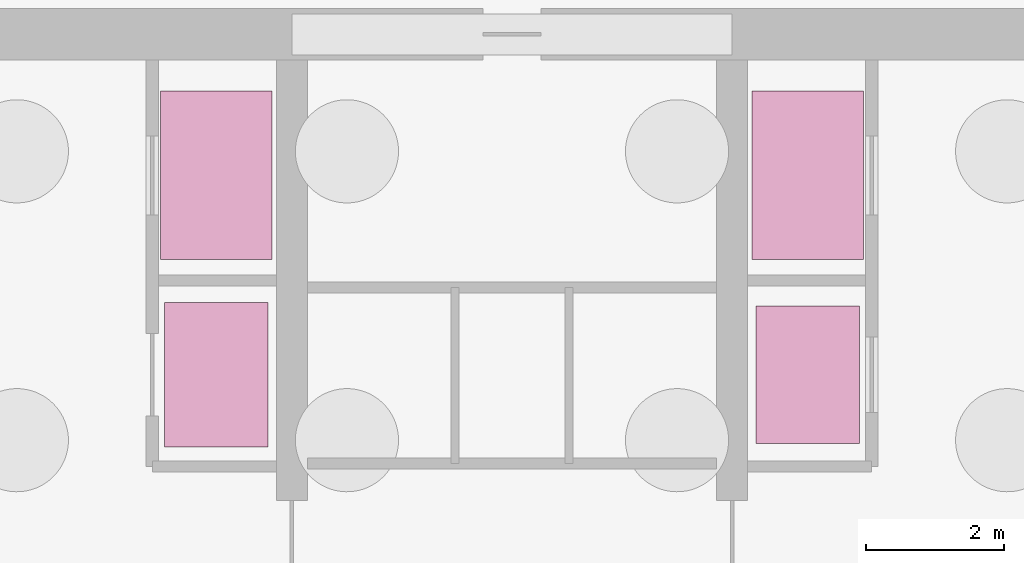
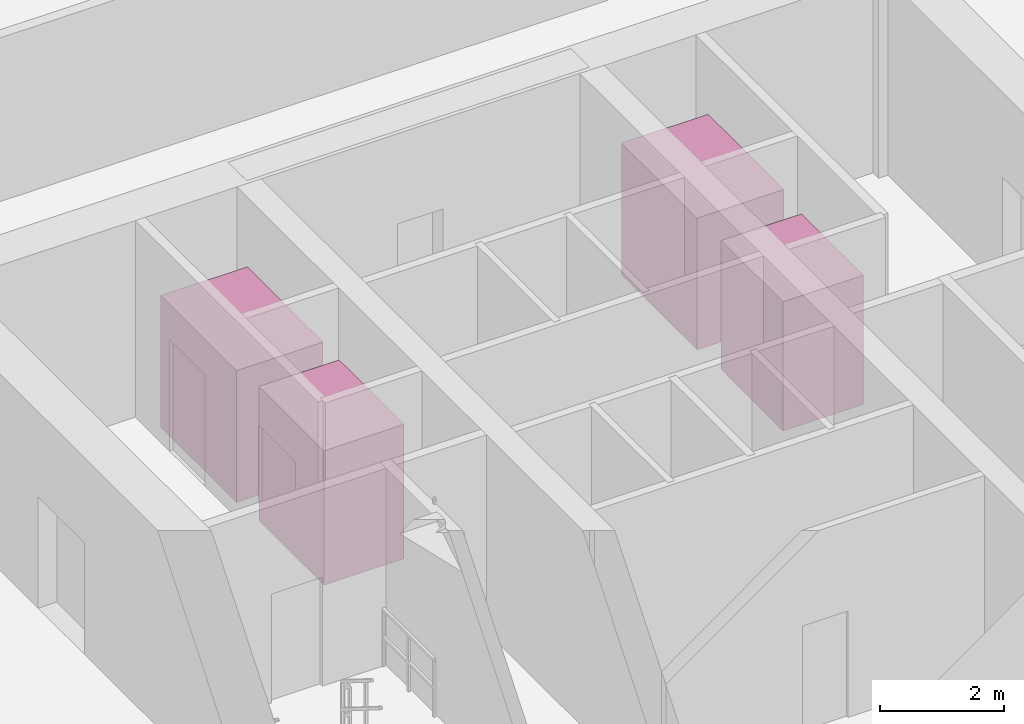
# One storey, part 11 of 11: 4 transport elements.
"""IFC4 building model written with IfcOpenShell, lengths in metres."""

from ifc_helpers import new_model, si_unit, direction, frame, origin, origin_2d, place, context, subcontext, project, spatial, rectangle, extrude, source, transform, mapped, material, type_object, element, save


model = new_model("IFC4")

# Units and contexts
model_context = context("Model", 3, precision=1e-05, world=origin(), true_north=direction((-0.2419218956, 0.970295726276)))
body_context = subcontext(model_context, "Body", "Model", "MODEL_VIEW")
ifc_project = project(units=[si_unit("LENGTHUNIT", "METRE"), si_unit("AREAUNIT", "SQUARE_METRE"), si_unit("VOLUMEUNIT", "CUBIC_METRE"), si_unit("PLANEANGLEUNIT", "RADIAN"), si_unit("MASSUNIT", "GRAM", prefix="KILO")], contexts=[model_context])

# Site, building, storey
site_placement = place(None, origin())
site = spatial("IfcSite", under=ifc_project, at=site_placement, CompositionType="ELEMENT")
building_placement = place(site_placement, origin())
building = spatial("IfcBuilding", under=site, at=building_placement, Name="Cobrevalo Terracotta Tower", CompositionType="ELEMENT")
storey_placement = place(building_placement, frame((0.0, 0.0, -8.39990234375)))
storey = spatial("IfcBuildingStorey", under=building, at=storey_placement, Name="B02", CompositionType="ELEMENT", Elevation=-8.39990234375)

# Transport elements
ifc_material_1 = material(Name="Stainless steel cab assembly", Category="steel")
transport_element_type_1 = type_object("IfcTransportElementType", Name="Firefighting & Stretcher Lift Car 1620x2450", PredefinedType="ELEVATOR", material=ifc_material_1)
shared_shape_1 = source(origin(), body_context, "Body", "SweptSolid", [
    extrude(rectangle(XDim=1.6201171875, YDim=2.449951171875, at=origin_2d()), origin(), (0.0, 0.0, 1.0), 2.60009765625),
])
for number, where, z_axis, x_axis, name in (
    (1, (33.699951171875, 32.75, -0.000244140625), (0.0, 0.0, 1.0), (1.0, 0.0, 0.0), "Firefighting lift FF-1"),
    (2, (42.300048828125, 32.75, -0.000244140625), (0.0, 0.0, 1.0), (1.0, 0.0, 0.0), "Firefighting lift FF-2"),
):
    element("IfcTransportElement", number, at=place(storey_placement, frame(where, z_axis=z_axis, x_axis=x_axis)), inside=storey, type_object=transport_element_type_1, Name=name, PredefinedType="ELEVATOR", context=body_context, shape_type="MappedRepresentation", body=[
        mapped(shared_shape_1, transform((0.0, 0.0, 0.0), scale=1.0)),
    ])
ifc_material_2 = material(Name="Brushed steel service cab", Category="steel")
transport_element_type_2 = type_object("IfcTransportElementType", Name="Heavy Goods & Service Lift Car 1500x2100", PredefinedType="ELEVATOR", material=ifc_material_2)
shared_shape_2 = source(origin(), body_context, "Body", "SweptSolid", [
    extrude(rectangle(XDim=1.5, YDim=2.10009765625, at=origin_2d()), origin(), (0.0, 0.0, 1.0), 2.64990234375),
])
transport_element_1_placement = place(storey_placement, frame((33.699951171875, 29.85009765625, 0.0), z_axis=(0.0, 0.0, 1.0), x_axis=(1.0, 0.0, 0.0)))
element("IfcTransportElement", 3, at=transport_element_1_placement, inside=storey, type_object=transport_element_type_2, Name="Service goods lift SV-1", PredefinedType="ELEVATOR", context=body_context, shape_type="MappedRepresentation", body=[
    mapped(shared_shape_2, transform((0.0, 0.0, 0.0), scale=1.0)),
])
transport_element_type_3 = type_object("IfcTransportElementType", Name="Podium Accessible Lift Car 1500x2000", PredefinedType="ELEVATOR", material=ifc_material_1)
shared_shape_3 = source(origin(), body_context, "Body", "SweptSolid", [
    extrude(rectangle(XDim=1.5, YDim=2.0, at=origin_2d()), origin(), (0.0, 0.0, 1.0), 2.550048828125),
])
transport_element_2_placement = place(storey_placement, frame((42.300048828125, 29.85009765625, 0.0), z_axis=(0.0, 0.0, 1.0), x_axis=(1.0, 0.0, 0.0)))
element("IfcTransportElement", 4, at=transport_element_2_placement, inside=storey, type_object=transport_element_type_3, Name="Podium shuttle lift PL-P1", PredefinedType="ELEVATOR", context=body_context, shape_type="MappedRepresentation", body=[
    mapped(shared_shape_3, transform((0.0, 0.0, 0.0), scale=1.0)),
])

save(model, "model.ifc")
